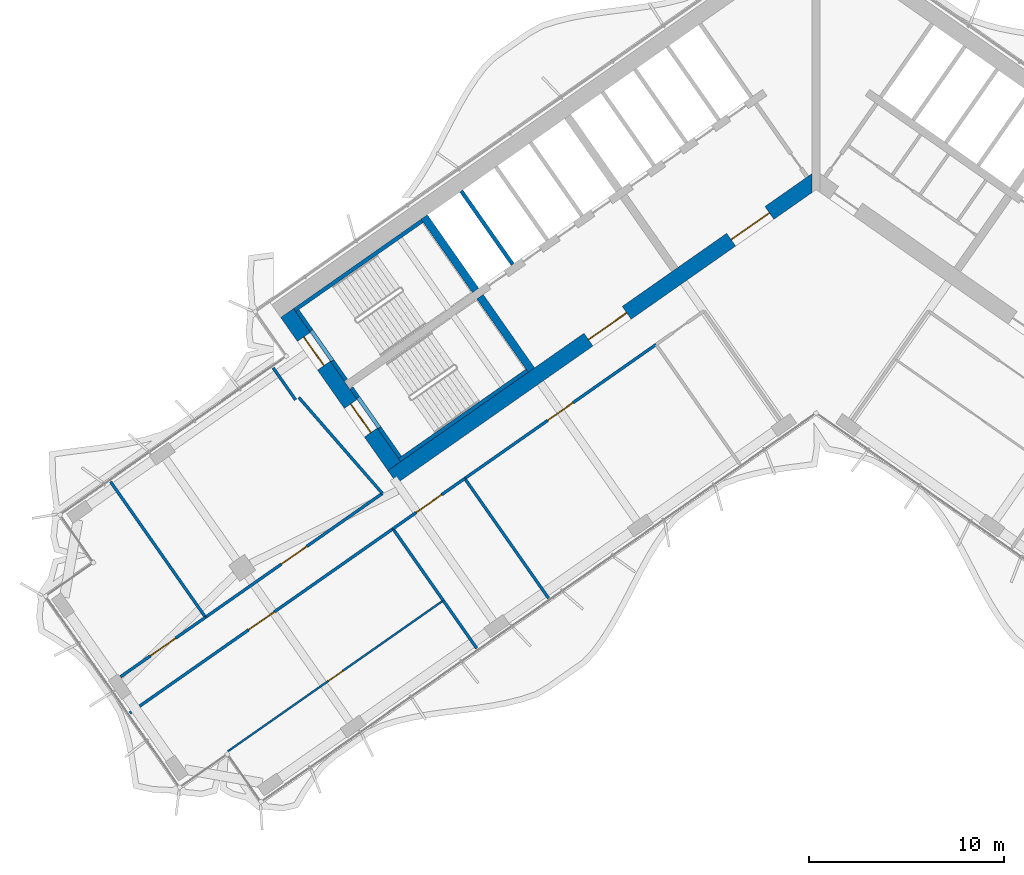
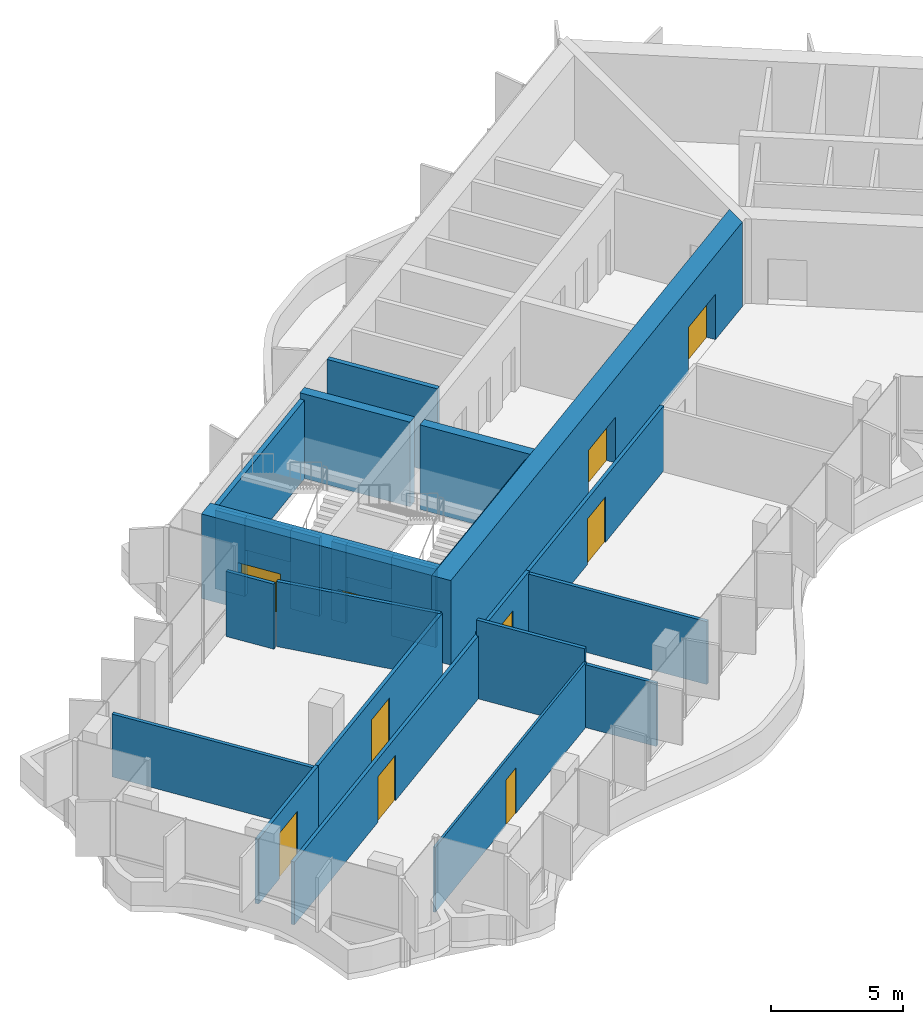
# One storey, part 12 of 21: 25 walls, 10 doors, 10 openings.
"""IFC4 building model written with IfcOpenShell, lengths in metres."""

from ifc_helpers import new_model, si_unit, direction, frame, frame_2d, origin, place, context, subcontext, project, spatial, polyline, rectangle, outline, extrude, material, layer, layer_set, type_object, element, fill, save


model = new_model("IFC4")

# Units and contexts
model_context = context("Model", 3, precision=1e-05, world=origin(), true_north=direction((0.0, 1.0)))
body_context = subcontext(model_context, "Body", "Model", "MODEL_VIEW")
ifc_project = project(units=[si_unit("LENGTHUNIT", "METRE"), si_unit("AREAUNIT", "SQUARE_METRE"), si_unit("VOLUMEUNIT", "CUBIC_METRE"), si_unit("PLANEANGLEUNIT", "RADIAN"), si_unit("MASSUNIT", "GRAM", prefix="KILO")], contexts=[model_context])

# Site, building, storey
site_placement = place(None, origin())
site = spatial("IfcSite", under=ifc_project, at=site_placement, CompositionType="ELEMENT")
building_placement = place(site_placement, origin())
building = spatial("IfcBuilding", under=site, at=building_placement, Name="Tel Ilan Convention Tower", CompositionType="ELEMENT")
storey_placement = place(building_placement, frame((0.0, 0.0, 151.5)))
storey = spatial("IfcBuildingStorey", under=building, at=storey_placement, Name="L34", CompositionType="ELEMENT", Elevation=151.5)

# Walls
ifc_material_1 = material(Name="Concrete C50/60", Category="concrete")
ifc_layer_1 = layer(ifc_material_1, 0.39990234375)
ifc_layer_set_1 = layer_set([ifc_layer_1], Name="Core Shear Wall 400 mm C50/60")
wall_type_1 = type_object("IfcWallType", Name="Core Shear Wall 400 mm C50/60", PredefinedType="SHEAR", material=ifc_layer_set_1)
wall_1_placement = place(storey_placement, frame((-14.6298828125, -10.48828125, 0.0), z_axis=(0.0, 0.0, 1.0), x_axis=(-0.573611936273, 0.819127185829, 0.0)))
element("IfcWall", 1, at=wall_1_placement, inside=storey, type_object=wall_type_1, Name="L34 core wall W-cross2-1", PredefinedType="SHEAR", context=body_context, shape_type="SweptSolid", body=[
    extrude(outline(polyline([(4.60009765625, 0.199951171875), (0.000244140625, 0.2001953125), (0.000244140625, -0.199951171875), (4.60009765625, -0.2001953125), (4.60009765625, 0.199951171875)])), origin(), (0.0, 0.0, 1.0), 3.89990234375),
])
wall_2_placement = place(storey_placement, frame((-17.497802734375, -6.392333984375, 0.0), z_axis=(0.0, 0.0, 1.0), x_axis=(-0.573611936273, 0.819127185829, 0.0)))
element("IfcWall", 2, at=wall_2_placement, inside=storey, type_object=wall_type_1, Name="L34 core wall W-cross2-2", PredefinedType="SHEAR", context=body_context, shape_type="SweptSolid", body=[
    extrude(outline(polyline([(4.599853515625, -0.2001953125), (4.599853515625, 0.199951171875), (0.0, 0.2001953125), (0.0, -0.199951171875), (4.599853515625, -0.2001953125)])), origin(), (0.0, 0.0, 1.0), 3.89990234375),
])

# Wall, openings, doors
ifc_material_2 = material(Name="Concrete C50/60", Category="concrete")
ifc_layer_2 = layer(ifc_material_2, 0.800048828125)
ifc_layer_set_2 = layer_set([ifc_layer_2], Name="Core Shear Wall 800 mm C50/60")
wall_type_2 = type_object("IfcWallType", Name="Core Shear Wall 800 mm C50/60", PredefinedType="SHEAR", material=ifc_layer_set_2)
wall_3_placement = place(storey_placement, frame((0.029296875, -0.7119140625, 0.0), z_axis=(0.0, 0.0, 1.0), x_axis=(-0.819151758019, -0.573576845187, 0.0)))
wall_3 = element("IfcWall", 3, at=wall_3_placement, inside=storey, type_object=wall_type_2, Name="L34 core wall W-front", PredefinedType="SHEAR", context=body_context, shape_type="SweptSolid", body=[
    extrude(outline(polyline([(26.61572265625, 0.39990234375), (0.56005859375, 0.39990234375), (-0.000244140625, -0.39990234375), (26.61572265625, -0.39990234375), (26.61572265625, 0.39990234375)])), origin(), (0.0, 0.0, 1.0), 3.89990234375),
])
opening_1_placement = place(wall_3_placement, frame((2.9658203125, 0.0, 0.0)))
opening_1 = element("IfcOpeningElement", 4, at=opening_1_placement, cuts=wall_3, Name="Opening CD2705", PredefinedType="OPENING", context=body_context, shape_type="SweptSolid", body=[
    extrude(rectangle(XDim=2.39990234375, YDim=2.10009765625, at=frame_2d((1.199951171875, 1.050048828125))), frame((0.0, 0.409912109375, 0.0), z_axis=(0.0, -1.0, 0.0), x_axis=(1.0, 0.0, 0.0)), (0.0, 0.0, 1.0), 0.820068359375),
])
opening_2_placement = place(wall_3_placement, frame((11.915771484375, 0.0, 0.0)))
opening_2 = element("IfcOpeningElement", 5, at=opening_2_placement, cuts=wall_3, Name="Opening CD2706", PredefinedType="OPENING", context=body_context, shape_type="SweptSolid", body=[
    extrude(rectangle(XDim=2.39990234375, YDim=2.10009765625, at=frame_2d((1.199951171875, 1.050048828125))), frame((0.0, 0.409912109375, 0.0), z_axis=(0.0, -1.0, 0.0), x_axis=(1.0, 0.0, 0.0)), (0.0, 0.0, 1.0), 0.820068359375),
])
ifc_material_3 = material(Name="Glazed Aluminium Door Leaf", Category="aluminium")
door_type_1 = type_object("IfcDoorType", Name="Lobby Opening Door 2400 x 2100 FD60S", OperationType="NOTDEFINED", PredefinedType="DOOR", material=ifc_material_3)
door_1_placement = place(opening_1_placement, origin())
door_1 = element("IfcDoor", 6, at=door_1_placement, inside=storey, type_object=door_type_1, Name="Lift Lobby LR1-LR4 opening", OperationType="DOUBLE_DOOR_SINGLE_SWING", OverallHeight=2.10009765625, OverallWidth=2.39990234375, PredefinedType="DOOR", context=body_context, shape_type="SweptSolid", body=[
    extrude(rectangle(XDim=2.39990234375, YDim=2.10009765625, at=frame_2d((1.199951171875, 1.050048828125))), frame((0.0, 0.02490234375, 0.0), z_axis=(0.0, -1.0, 0.0), x_axis=(1.0, 0.0, 0.0)), (0.0, 0.0, 1.0), 0.050048828125),
])
fill(opening_1, door_1)
door_2_placement = place(opening_2_placement, origin())
door_2 = element("IfcDoor", 7, at=door_2_placement, inside=storey, type_object=door_type_1, Name="Lift Lobby LR5-LR8 opening", OperationType="DOUBLE_DOOR_SINGLE_SWING", OverallHeight=2.10009765625, OverallWidth=2.39990234375, PredefinedType="DOOR", context=body_context, shape_type="SweptSolid", body=[
    extrude(rectangle(XDim=2.39990234375, YDim=2.10009765625, at=frame_2d((1.199951171875, 1.050048828125))), frame((0.0, 0.02490234375, 0.0), z_axis=(0.0, -1.0, 0.0), x_axis=(1.0, 0.0, 0.0)), (0.0, 0.0, 1.0), 0.050048828125),
])
fill(opening_2, door_2)

wall_4_placement = place(storey_placement, frame((-21.6748046875, -15.4208984375, 0.0), z_axis=(0.0, 0.0, 1.0), x_axis=(-0.573581815061, 0.819148278049, 0.0)))
wall_4 = element("IfcWall", 8, at=wall_4_placement, inside=storey, type_object=wall_type_2, Name="L34 core wall W-end", PredefinedType="SHEAR", context=body_context, shape_type="SweptSolid", body=[
    extrude(outline(polyline([(0.0, 0.39990234375), (0.0, -0.39990234375), (9.599853515625, -0.400146484375), (9.599853515625, 0.39990234375), (0.0, 0.39990234375)])), origin(), (0.0, 0.0, 1.0), 3.89990234375),
])
opening_3_placement = place(wall_4_placement, frame((6.300048828125, 0.0, 0.0)))
opening_3 = element("IfcOpeningElement", 9, at=opening_3_placement, cuts=wall_4, Name="Opening SD2701", PredefinedType="OPENING", context=body_context, shape_type="SweptSolid", body=[
    extrude(rectangle(XDim=1.800048828125, YDim=2.10009765625, at=frame_2d((0.89990234375, 1.050048828125))), frame((0.0, 0.409912109375, 0.0), z_axis=(0.0, -1.0, 0.0), x_axis=(1.0, 0.0, 0.0)), (0.0, 0.0, 1.0), 0.820068359375),
])
opening_4_placement = place(wall_4_placement, frame((2.10009765625, 0.0, 0.0)))
opening_4 = element("IfcOpeningElement", 10, at=opening_4_placement, cuts=wall_4, Name="Opening SD2702", PredefinedType="OPENING", context=body_context, shape_type="SweptSolid", body=[
    extrude(rectangle(XDim=1.800048828125, YDim=2.10009765625, at=frame_2d((0.89990234375, 1.050048828125))), frame((0.0, 0.409912109375, 0.0), z_axis=(0.0, -1.0, 0.0), x_axis=(1.0, 0.0, 0.0)), (0.0, 0.0, 1.0), 0.820068359375),
])
ifc_material_4 = material(Name="Galvanised Steel Door Leaf", Category="steel")
door_type_2 = type_object("IfcDoorType", Name="Stair Fire Door 1800 x 2100 FD60S", OperationType="NOTDEFINED", PredefinedType="DOOR", material=ifc_material_4)
door_3_placement = place(opening_3_placement, origin())
door_3 = element("IfcDoor", 11, at=door_3_placement, inside=storey, type_object=door_type_2, Name="Stair S1 door", OperationType="DOUBLE_DOOR_SINGLE_SWING", OverallHeight=2.10009765625, OverallWidth=1.800048828125, PredefinedType="DOOR", context=body_context, shape_type="SweptSolid", body=[
    extrude(rectangle(XDim=1.800048828125, YDim=2.10009765625, at=frame_2d((0.89990234375, 1.050048828125))), frame((0.0, 0.02490234375, 0.0), z_axis=(0.0, -1.0, 0.0), x_axis=(1.0, 0.0, 0.0)), (0.0, 0.0, 1.0), 0.050048828125),
])
fill(opening_3, door_3)
door_4_placement = place(opening_4_placement, origin())
door_4 = element("IfcDoor", 12, at=door_4_placement, inside=storey, type_object=door_type_2, Name="Stair S2 door", OperationType="DOUBLE_DOOR_SINGLE_SWING", OverallHeight=2.10009765625, OverallWidth=1.800048828125, PredefinedType="DOOR", context=body_context, shape_type="SweptSolid", body=[
    extrude(rectangle(XDim=1.800048828125, YDim=2.10009765625, at=frame_2d((0.89990234375, 1.050048828125))), frame((0.0, 0.02490234375, 0.0), z_axis=(0.0, -1.0, 0.0), x_axis=(1.0, 0.0, 0.0)), (0.0, 0.0, 1.0), 0.050048828125),
])
fill(opening_4, door_4)

# Wall, opening, door
ifc_material_5 = material(Name="Plasterboard on Steel Studs", Category="steel")
ifc_layer_3 = layer(ifc_material_5, 0.14990234375)
ifc_layer_set_3 = layer_set([ifc_layer_3], Name="Fire-rated Partition 150 EI 60")
wall_type_3 = type_object("IfcWallType", Name="Fire-rated Partition 150 EI 60", PredefinedType="PARTITIONING", material=ifc_layer_set_3)
wall_5_placement = place(storey_placement, frame((-31.37451171875, -23.190185546875, 0.0), z_axis=(0.0, 0.0, 1.0), x_axis=(0.819152339004, 0.573576015455, 0.0)))
wall_5 = element("IfcWall", 13, at=wall_5_placement, inside=storey, type_object=wall_type_3, Name="Partition 006", PredefinedType="PARTITIONING", context=body_context, shape_type="SweptSolid", body=[
    extrude(rectangle(XDim=11.0986328125, YDim=0.14990234375, at=frame_2d((5.54931640625, 0.0))), origin(), (0.0, 0.0, 1.0), 3.0),
])
opening_5_placement = place(wall_5_placement, frame((4.74951171875, 0.0, 0.0)))
opening_5 = element("IfcOpeningElement", 14, at=opening_5_placement, cuts=wall_5, Name="Opening L33-006", PredefinedType="OPENING", context=body_context, shape_type="SweptSolid", body=[
    extrude(rectangle(XDim=1.60009765625, YDim=2.10009765625, at=frame_2d((0.800048828125, 1.050048828125))), frame((0.0, 0.0849609375, 0.0), z_axis=(0.0, -1.0, 0.0), x_axis=(1.0, 0.0, 0.0)), (0.0, 0.0, 1.0), 0.169921875),
])
ifc_material_6 = material(Name="Timber Door Leaf in Steel Frame", Category="steel")
door_type_3 = type_object("IfcDoorType", Name="Tenant Suite Entrance Fire Door 1600x2100", OperationType="NOTDEFINED", PredefinedType="DOOR", material=ifc_material_6)
door_5_placement = place(opening_5_placement, origin())
door_5 = element("IfcDoor", 15, at=door_5_placement, inside=storey, type_object=door_type_3, Name="Door L33-006", OperationType="DOUBLE_DOOR_SINGLE_SWING", OverallHeight=2.10009765625, OverallWidth=1.60009765625, PredefinedType="DOOR", context=body_context, shape_type="SweptSolid", body=[
    extrude(rectangle(XDim=1.60009765625, YDim=2.10009765625, at=frame_2d((0.800048828125, 1.050048828125))), frame((0.0, 0.02490234375, 0.0), z_axis=(0.0, -1.0, 0.0), x_axis=(1.0, 0.0, 0.0)), (0.0, 0.0, 1.0), 0.050048828125),
])
fill(opening_5, door_5)

wall_6_placement = place(storey_placement, frame((-35.739013671875, -26.24658203125, 0.0), z_axis=(0.0, 0.0, 1.0), x_axis=(0.819145866886, 0.573585258495, 0.0)))
wall_6 = element("IfcWall", 16, at=wall_6_placement, inside=storey, type_object=wall_type_3, Name="Partition 007", PredefinedType="PARTITIONING", context=body_context, shape_type="SweptSolid", body=[
    extrude(rectangle(XDim=5.33203125, YDim=0.14990234375, at=frame_2d((2.666015625, 0.0))), origin(), (0.0, 0.0, 1.0), 3.0),
])
opening_6_placement = place(wall_6_placement, frame((1.865966796875, 0.0, 0.0)))
opening_6 = element("IfcOpeningElement", 17, at=opening_6_placement, cuts=wall_6, Name="Opening L33-007", PredefinedType="OPENING", context=body_context, shape_type="SweptSolid", body=[
    extrude(rectangle(XDim=1.60009765625, YDim=2.10009765625, at=frame_2d((0.800048828125, 1.050048828125))), frame((0.0, 0.0849609375, 0.0), z_axis=(0.0, -1.0, 0.0), x_axis=(1.0, 0.0, 0.0)), (0.0, 0.0, 1.0), 0.169921875),
])
door_6_placement = place(opening_6_placement, origin())
door_6 = element("IfcDoor", 18, at=door_6_placement, inside=storey, type_object=door_type_3, Name="Door L33-007", OperationType="DOUBLE_DOOR_SINGLE_SWING", OverallHeight=2.10009765625, OverallWidth=1.60009765625, PredefinedType="DOOR", context=body_context, shape_type="SweptSolid", body=[
    extrude(rectangle(XDim=1.60009765625, YDim=2.10009765625, at=frame_2d((0.800048828125, 1.050048828125))), frame((0.0, 0.02490234375, 0.0), z_axis=(0.0, -1.0, 0.0), x_axis=(1.0, 0.0, 0.0)), (0.0, 0.0, 1.0), 0.050048828125),
])
fill(opening_6, door_6)

wall_7_placement = place(storey_placement, frame((-8.22216796875, -9.17529296875, 0.0), z_axis=(0.0, 0.0, 1.0), x_axis=(-0.819154519377, -0.573572901543, 0.0)))
wall_7 = element("IfcWall", 19, at=wall_7_placement, inside=storey, type_object=wall_type_3, Name="Partition 009", PredefinedType="PARTITIONING", context=body_context, shape_type="SweptSolid", body=[
    extrude(rectangle(XDim=12.004150390625, YDim=0.14990234375, at=frame_2d((6.001953125, 0.0))), origin(), (0.0, 0.0, 1.0), 3.0),
])
opening_7_placement = place(wall_7_placement, frame((5.201904296875, 0.0, 0.0)))
opening_7 = element("IfcOpeningElement", 20, at=opening_7_placement, cuts=wall_7, Name="Opening L33-002", PredefinedType="OPENING", context=body_context, shape_type="SweptSolid", body=[
    extrude(rectangle(XDim=1.60009765625, YDim=2.10009765625, at=frame_2d((0.800048828125, 1.050048828125))), frame((0.0, 0.0849609375, 0.0), z_axis=(0.0, -1.0, 0.0), x_axis=(1.0, 0.0, 0.0)), (0.0, 0.0, 1.0), 0.169921875),
])
door_7_placement = place(opening_7_placement, origin())
door_7 = element("IfcDoor", 21, at=door_7_placement, inside=storey, type_object=door_type_3, Name="Door L33-002", OperationType="DOUBLE_DOOR_SINGLE_SWING", OverallHeight=2.10009765625, OverallWidth=1.60009765625, PredefinedType="DOOR", context=body_context, shape_type="SweptSolid", body=[
    extrude(rectangle(XDim=1.60009765625, YDim=2.10009765625, at=frame_2d((0.800048828125, 1.050048828125))), frame((0.0, 0.02490234375, 0.0), z_axis=(0.0, -1.0, 0.0), x_axis=(1.0, 0.0, 0.0)), (0.0, 0.0, 1.0), 0.050048828125),
])
fill(opening_7, door_7)

wall_8_placement = place(storey_placement, frame((-18.052001953125, -16.058349609375, 0.0), z_axis=(0.0, 0.0, 1.0), x_axis=(-0.819165703328, -0.573556928727, 0.0)))
wall_8 = element("IfcWall", 22, at=wall_8_placement, inside=storey, type_object=wall_type_3, Name="Partition 010", PredefinedType="PARTITIONING", context=body_context, shape_type="SweptSolid", body=[
    extrude(rectangle(XDim=4.50390625, YDim=0.14990234375, at=frame_2d((2.251953125, 0.0))), origin(), (0.0, 0.0, 1.0), 3.0),
])
opening_8_placement = place(wall_8_placement, frame((1.451904296875, 0.0, 0.0)))
opening_8 = element("IfcOpeningElement", 23, at=opening_8_placement, cuts=wall_8, Name="Opening L33-003", PredefinedType="OPENING", context=body_context, shape_type="SweptSolid", body=[
    extrude(rectangle(XDim=1.60009765625, YDim=2.10009765625, at=frame_2d((0.800048828125, 1.050048828125))), frame((0.0, 0.0849609375, 0.0), z_axis=(0.0, -1.0, 0.0), x_axis=(1.0, 0.0, 0.0)), (0.0, 0.0, 1.0), 0.169921875),
])
door_8_placement = place(opening_8_placement, origin())
door_8 = element("IfcDoor", 24, at=door_8_placement, inside=storey, type_object=door_type_3, Name="Door L33-003", OperationType="DOUBLE_DOOR_SINGLE_SWING", OverallHeight=2.10009765625, OverallWidth=1.60009765625, PredefinedType="DOOR", context=body_context, shape_type="SweptSolid", body=[
    extrude(rectangle(XDim=1.60009765625, YDim=2.10009765625, at=frame_2d((0.800048828125, 1.050048828125))), frame((0.0, 0.02490234375, 0.0), z_axis=(0.0, -1.0, 0.0), x_axis=(1.0, 0.0, 0.0)), (0.0, 0.0, 1.0), 0.050048828125),
])
fill(opening_8, door_8)

wall_9_placement = place(storey_placement, frame((-21.73828125, -18.639404296875, 0.0), z_axis=(0.0, 0.0, 1.0), x_axis=(-0.819152676681, -0.573575533201, 0.0)))
wall_9 = element("IfcWall", 25, at=wall_9_placement, inside=storey, type_object=wall_type_3, Name="Partition 011", PredefinedType="PARTITIONING", context=body_context, shape_type="SweptSolid", body=[
    extrude(rectangle(XDim=16.501953125, YDim=0.14990234375, at=frame_2d((8.2509765625, 0.0))), origin(), (0.0, 0.0, 1.0), 2.89990234375),
])
opening_9_placement = place(wall_9_placement, frame((7.450927734375, 0.0, 0.0)))
opening_9 = element("IfcOpeningElement", 26, at=opening_9_placement, cuts=wall_9, Name="Opening L33-004", PredefinedType="OPENING", context=body_context, shape_type="SweptSolid", body=[
    extrude(rectangle(XDim=1.60009765625, YDim=2.10009765625, at=frame_2d((0.800048828125, 1.050048828125))), frame((0.0, 0.0849609375, 0.0), z_axis=(0.0, -1.0, 0.0), x_axis=(1.0, 0.0, 0.0)), (0.0, 0.0, 1.0), 0.169921875),
])
door_9_placement = place(opening_9_placement, origin())
door_9 = element("IfcDoor", 27, at=door_9_placement, inside=storey, type_object=door_type_3, Name="Door L33-004", OperationType="DOUBLE_DOOR_SINGLE_SWING", OverallHeight=2.10009765625, OverallWidth=1.60009765625, PredefinedType="DOOR", context=body_context, shape_type="SweptSolid", body=[
    extrude(rectangle(XDim=1.60009765625, YDim=2.10009765625, at=frame_2d((0.800048828125, 1.050048828125))), frame((0.0, 0.02490234375, 0.0), z_axis=(0.0, -1.0, 0.0), x_axis=(1.0, 0.0, 0.0)), (0.0, 0.0, 1.0), 0.050048828125),
])
fill(opening_9, door_9)

# Walls
wall_10_placement = place(storey_placement, frame((-26.74609375, -12.013671875, 0.0), z_axis=(0.0, 0.0, 1.0), x_axis=(-0.573568836472, 0.819157365729, 0.0)))
element("IfcWall", 28, at=wall_10_placement, inside=storey, type_object=wall_type_3, Name="Partition 030", PredefinedType="PARTITIONING", context=body_context, shape_type="SweptSolid", body=[
    extrude(rectangle(XDim=2.000244140625, YDim=0.14990234375, at=frame_2d((1.0, 0.0))), origin(), (0.0, 0.0, 1.0), 3.0),
])
wall_11_placement = place(storey_placement, frame((-22.28369140625, -16.826416015625, 0.0), z_axis=(0.0, 0.0, 1.0), x_axis=(-0.656758142177, 0.754101281449, 0.0)))
element("IfcWall", 29, at=wall_11_placement, inside=storey, type_object=wall_type_3, Name="Partition 031", PredefinedType="PARTITIONING", context=body_context, shape_type="SweptSolid", body=[
    extrude(rectangle(XDim=6.53857421875, YDim=0.14990234375, at=frame_2d((3.269287109375, 0.0))), origin(), (0.0, 0.0, 1.0), 3.0),
])
wall_12_placement = place(storey_placement, frame((-31.373291015625, -23.188720703125, 0.0), z_axis=(0.0, 0.0, 1.0), x_axis=(-0.57357799764, 0.819150951061, 0.0)))
element("IfcWall", 30, at=wall_12_placement, inside=storey, type_object=wall_type_3, Name="Partition 032", PredefinedType="PARTITIONING", context=body_context, shape_type="SweptSolid", body=[
    extrude(rectangle(XDim=8.500244140625, YDim=0.14990234375, at=frame_2d((4.25, 0.0))), origin(), (0.0, 0.0, 1.0), 2.89990234375),
])
wall_13_placement = place(storey_placement, frame((-13.751708984375, -22.203125, 0.0), z_axis=(0.0, 0.0, 1.0), x_axis=(-0.573597787563, 0.819137093595, 0.0)))
element("IfcWall", 31, at=wall_13_placement, inside=storey, type_object=wall_type_3, Name="Partition 034", PredefinedType="PARTITIONING", context=body_context, shape_type="SweptSolid", body=[
    extrude(rectangle(XDim=7.5, YDim=0.14990234375, at=frame_2d((3.75, 0.0))), origin(), (0.0, 0.0, 1.0), 2.89990234375),
])
wall_14_placement = place(storey_placement, frame((-17.43798828125, -24.7841796875, 0.0), z_axis=(0.0, 0.0, 1.0), x_axis=(-0.573555162214, 0.819166940189, 0.0)))
element("IfcWall", 32, at=wall_14_placement, inside=storey, type_object=wall_type_3, Name="Partition 035", PredefinedType="PARTITIONING", context=body_context, shape_type="SweptSolid", body=[
    extrude(rectangle(XDim=3.0009765625, YDim=0.14990234375, at=frame_2d((1.50048828125, 0.0))), origin(), (0.0, 0.0, 1.0), 2.89990234375),
])
wall_15_placement = place(storey_placement, frame((-19.15771484375, -22.328369140625, 0.0), z_axis=(0.0, 0.0, 1.0), x_axis=(-0.573553333433, 0.819168220641, 0.0)))
element("IfcWall", 33, at=wall_15_placement, inside=storey, type_object=wall_type_3, Name="Partition 036", PredefinedType="PARTITIONING", context=body_context, shape_type="SweptSolid", body=[
    extrude(rectangle(XDim=4.501708984375, YDim=0.14990234375, at=frame_2d((2.2509765625, 0.0))), origin(), (0.0, 0.0, 1.0), 3.6201171875),
])
ifc_material_7 = material(Name="Concrete C30/37", Category="concrete")
ifc_layer_4 = layer(ifc_material_7, 0.199951171875)
ifc_layer_set_4 = layer_set([ifc_layer_4], Name="Lift Shaft Wall 200 mm C30/37")
wall_type_4 = type_object("IfcWallType", Name="Lift Shaft Wall 200 mm C30/37", PredefinedType="SOLIDWALL", material=ifc_layer_set_4)
wall_16_placement = place(storey_placement, frame((-15.593505859375, -5.058837890625, 0.0), z_axis=(0.0, 0.0, 1.0), x_axis=(-0.573540709186, 0.819177059558, 0.0)))
element("IfcWall", 34, at=wall_16_placement, inside=storey, type_object=wall_type_4, Name="L34 core wall bank-W2-p2", PredefinedType="SOLIDWALL", context=body_context, shape_type="SweptSolid", body=[
    extrude(rectangle(XDim=4.599853515625, YDim=0.199951171875, at=frame_2d((2.2998046875, 0.0))), origin(), (0.0, 0.0, 1.0), 3.89990234375),
])

# Wall, opening, door
ifc_material_8 = material(Name="Plasterboard on Steel Studs", Category="steel")
ifc_layer_5 = layer(ifc_material_8, 0.10009765625)
ifc_layer_set_5 = layer_set([ifc_layer_5], Name="Plasterboard Partition 100")
wall_type_5 = type_object("IfcWallType", Name="Plasterboard Partition 100", PredefinedType="PARTITIONING", material=ifc_layer_set_5)
wall_17_placement = place(storey_placement, frame((-19.158203125, -22.32763671875, 0.0), z_axis=(0.0, 0.0, 1.0), x_axis=(-0.819157147957, -0.573569147488, 0.0)))
wall_17 = element("IfcWall", 35, at=wall_17_placement, inside=storey, type_object=wall_type_5, Name="Partition 037", PredefinedType="PARTITIONING", context=body_context, shape_type="SweptSolid", body=[
    extrude(rectangle(XDim=13.5, YDim=0.10009765625, at=frame_2d((6.75, 0.0))), origin(), (0.0, 0.0, 1.0), 3.0),
])
opening_10_placement = place(wall_17_placement, frame((6.300048828125, 0.0, 0.0)))
opening_10 = element("IfcOpeningElement", 36, at=opening_10_placement, cuts=wall_17, Name="Opening L33-005", PredefinedType="OPENING", context=body_context, shape_type="SweptSolid", body=[
    extrude(rectangle(XDim=0.89990234375, YDim=2.10009765625, at=frame_2d((0.449951171875, 1.050048828125))), frame((0.0, 0.06005859375, 0.0), z_axis=(0.0, -1.0, 0.0), x_axis=(1.0, 0.0, 0.0)), (0.0, 0.0, 1.0), 0.1201171875),
])
ifc_material_9 = material(Name="Timber Door Leaf in Steel Frame", Category="steel")
door_type_4 = type_object("IfcDoorType", Name="Room Timber Door 900x2100", OperationType="NOTDEFINED", PredefinedType="DOOR", material=ifc_material_9)
door_10_placement = place(opening_10_placement, origin())
door_10 = element("IfcDoor", 37, at=door_10_placement, inside=storey, type_object=door_type_4, Name="Door L33-005", OperationType="SINGLE_SWING_LEFT", OverallHeight=2.10009765625, OverallWidth=0.89990234375, PredefinedType="DOOR", context=body_context, shape_type="SweptSolid", body=[
    extrude(rectangle(XDim=0.89990234375, YDim=2.10009765625, at=frame_2d((0.449951171875, 1.050048828125))), frame((0.0, 0.02490234375, 0.0), z_axis=(0.0, -1.0, 0.0), x_axis=(1.0, 0.0, 0.0)), (0.0, 0.0, 1.0), 0.050048828125),
])
fill(opening_10, door_10)

# Walls
ifc_material_10 = material(Name="Concrete C30/37", Category="concrete")
ifc_layer_6 = layer(ifc_material_10, 0.199951171875)
ifc_layer_set_6 = layer_set([ifc_layer_6], Name="Stair and Shaft Lining Wall 200 mm C30/37")
wall_type_6 = type_object("IfcWallType", Name="Stair and Shaft Lining Wall 200 mm C30/37", PredefinedType="SOLIDWALL", material=ifc_layer_set_6)
wall_18_placement = place(storey_placement, frame((-20.242919921875, -2.821044921875, 0.0), z_axis=(0.0, 0.0, 1.0), x_axis=(-0.819141584393, -0.57359137434, 0.0)))
element("IfcWall", 38, at=wall_18_placement, inside=storey, type_object=wall_type_6, Name="L34 core wall lining-S1-t1", PredefinedType="SOLIDWALL", context=body_context, shape_type="SweptSolid", body=[
    extrude(rectangle(XDim=7.999755859375, YDim=0.199951171875, at=frame_2d((4.0, 0.0))), origin(), (0.0, 0.0, 1.0), 3.6201171875),
])
wall_19_placement = place(storey_placement, frame((-24.16162109375, -10.99755859375, 0.0), z_axis=(0.0, 0.0, 1.0), x_axis=(-0.573612502218, 0.819126789514, 0.0)))
element("IfcWall", 39, at=wall_19_placement, inside=storey, type_object=wall_type_6, Name="L34 core wall lining-S1-u1-0", PredefinedType="SOLIDWALL", context=body_context, shape_type="SweptSolid", body=[
    extrude(rectangle(XDim=1.2001953125, YDim=0.199951171875, at=frame_2d((0.60009765625, 0.0))), origin(), (0.0, 0.0, 1.0), 3.6201171875),
])
wall_20_placement = place(storey_placement, frame((-25.939697265625, -8.4580078125, 0.0), z_axis=(0.0, 0.0, 1.0), x_axis=(-0.573619628835, 0.819121798889, 0.0)))
element("IfcWall", 40, at=wall_20_placement, inside=storey, type_object=wall_type_6, Name="L34 core wall lining-S1-u1-1", PredefinedType="SOLIDWALL", context=body_context, shape_type="SweptSolid", body=[
    extrude(rectangle(XDim=1.25, YDim=0.199951171875, at=frame_2d((0.625, 0.0))), origin(), (0.0, 0.0, 1.0), 3.6201171875),
])
wall_21_placement = place(storey_placement, frame((-24.85009765625, -10.014404296875, 2.14990234375), z_axis=(0.0, 0.0, 1.0), x_axis=(-0.573505465124, 0.819201734296, 0.0)))
element("IfcWall", 41, at=wall_21_placement, inside=storey, type_object=wall_type_6, Name="L34 core wall lining-S1-u1-lintel", PredefinedType="SOLIDWALL", context=body_context, shape_type="SweptSolid", body=[
    extrude(rectangle(XDim=1.89990234375, YDim=0.199951171875, at=frame_2d((0.949951171875, 0.0))), origin(), (0.0, 0.0, 1.0), 1.47021484375),
])
wall_22_placement = place(storey_placement, frame((-14.851318359375, -10.52099609375, 0.0), z_axis=(0.0, 0.0, 1.0), x_axis=(-0.819141584393, -0.57359137434, 0.0)))
element("IfcWall", 42, at=wall_22_placement, inside=storey, type_object=wall_type_6, Name="L34 core wall lining-S2-t0", PredefinedType="SOLIDWALL", context=body_context, shape_type="SweptSolid", body=[
    extrude(rectangle(XDim=7.999755859375, YDim=0.199951171875, at=frame_2d((4.0, 0.0))), origin(), (0.0, 0.0, 1.0), 3.6201171875),
])
wall_23_placement = place(storey_placement, frame((-21.3798828125, -14.97021484375, 0.0), z_axis=(0.0, 0.0, 1.0), x_axis=(-0.573559770908, 0.819163713305, 0.0)))
element("IfcWall", 43, at=wall_23_placement, inside=storey, type_object=wall_type_6, Name="L34 core wall lining-S2-u1-0", PredefinedType="SOLIDWALL", context=body_context, shape_type="SweptSolid", body=[
    extrude(rectangle(XDim=1.849853515625, YDim=0.199951171875, at=frame_2d((0.9248046875, 0.0))), origin(), (0.0, 0.0, 1.0), 3.6201171875),
])
wall_24_placement = place(storey_placement, frame((-23.53076171875, -11.8984375, 0.0), z_axis=(0.0, 0.0, 1.0), x_axis=(-0.573708088123, 0.819059844958, 0.0)))
element("IfcWall", 44, at=wall_24_placement, inside=storey, type_object=wall_type_6, Name="L34 core wall lining-S2-u1-1", PredefinedType="SOLIDWALL", context=body_context, shape_type="SweptSolid", body=[
    extrude(rectangle(XDim=0.60009765625, YDim=0.199951171875, at=frame_2d((0.300048828125, 0.0))), origin(), (0.0, 0.0, 1.0), 3.6201171875),
])
wall_25_placement = place(storey_placement, frame((-22.44091796875, -13.454833984375, 2.14990234375), z_axis=(0.0, 0.0, 1.0), x_axis=(-0.573591692345, 0.819141361715, 0.0)))
element("IfcWall", 45, at=wall_25_placement, inside=storey, type_object=wall_type_6, Name="L34 core wall lining-S2-u1-lintel", PredefinedType="SOLIDWALL", context=body_context, shape_type="SweptSolid", body=[
    extrude(rectangle(XDim=1.900146484375, YDim=0.199951171875, at=frame_2d((0.9501953125, 0.0))), origin(), (0.0, 0.0, 1.0), 1.47021484375),
])

save(model, "model.ifc")
